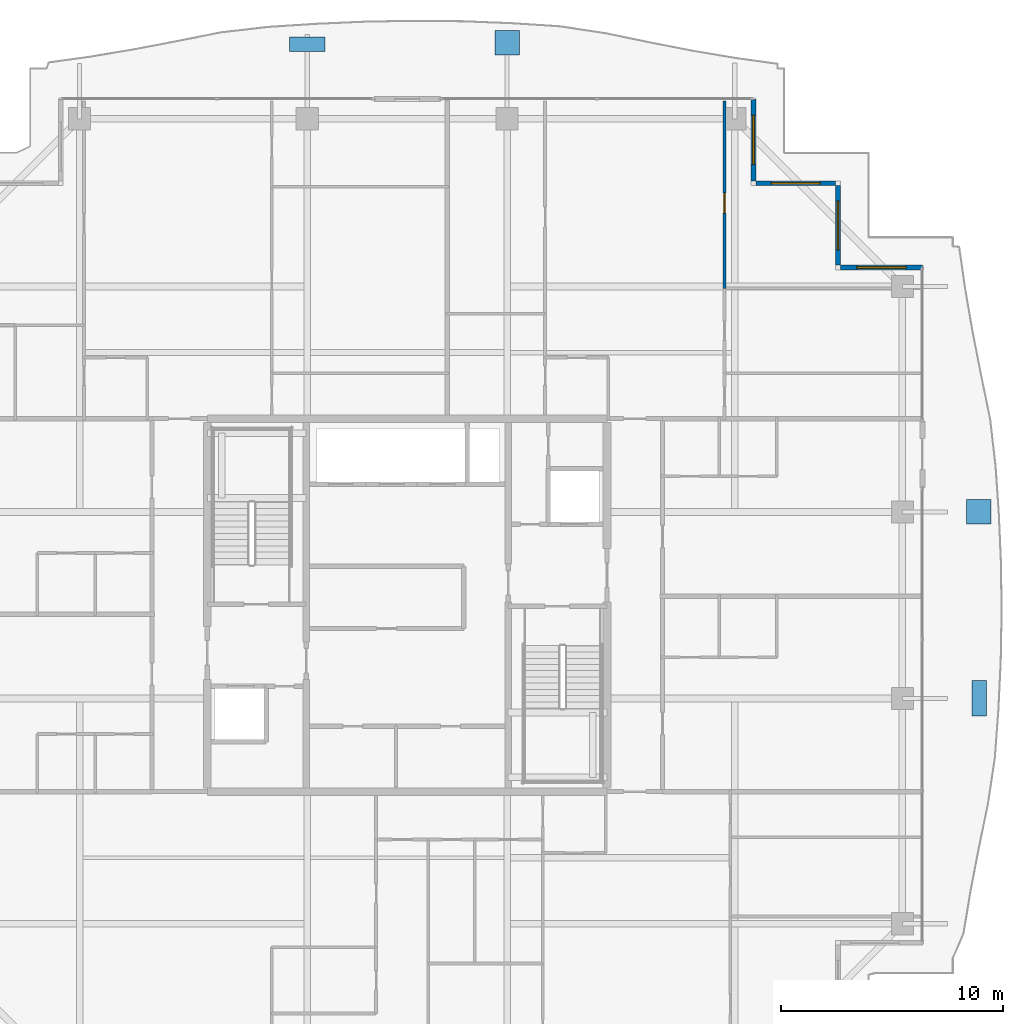
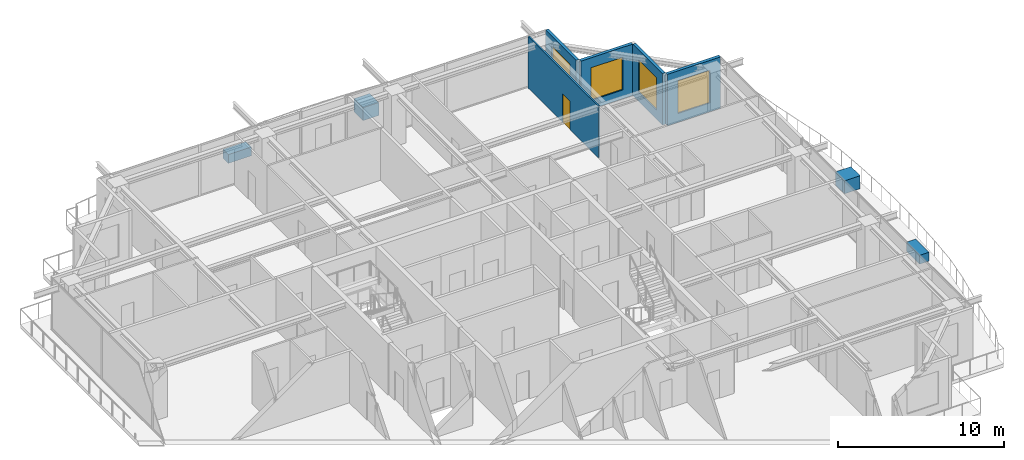
# One storey, part 32 of 39: 5 walls, 4 discrete accessories, 4 windows, 1 door, 5 openings.
"""IFC4 building model written with IfcOpenShell, lengths in metres."""

from ifc_helpers import new_model, si_unit, direction, frame, frame_2d, origin, origin_2d, place, context, subcontext, project, spatial, rectangle, extrude, source, transform, mapped, material, layer, layer_set, type_object, element, fill, save


model = new_model("IFC4")

# Units and contexts
model_context = context("Model", 3, precision=1e-05, world=origin(), true_north=direction((0.0, 1.0)))
body_context = subcontext(model_context, "Body", "Model", "MODEL_VIEW")
ifc_project = project(units=[si_unit("LENGTHUNIT", "METRE"), si_unit("AREAUNIT", "SQUARE_METRE"), si_unit("VOLUMEUNIT", "CUBIC_METRE"), si_unit("PLANEANGLEUNIT", "RADIAN"), si_unit("MASSUNIT", "GRAM", prefix="KILO")], contexts=[model_context])

# Site, building, storey
site_placement = place(None, origin())
site = spatial("IfcSite", under=ifc_project, at=site_placement, CompositionType="ELEMENT")
building_placement = place(site_placement, origin())
building = spatial("IfcBuilding", under=site, at=building_placement, Name="Serunith Strait Residences", CompositionType="ELEMENT")
storey_placement = place(building_placement, frame((0.0, 0.0, 329.89990234375)))
storey = spatial("IfcBuildingStorey", under=building, at=storey_placement, Name="L82", CompositionType="ELEMENT", Elevation=329.89990234375)

# Wall, opening, window
ifc_material_1 = material(Name="Pale-Champagne Aluminium Insulated Panel", Category="aluminium")
ifc_layer_1 = layer(ifc_material_1, 0.219970703125, Name="Pale-Champagne Aluminium Insulated Panel")
ifc_layer_set_1 = layer_set([ifc_layer_1], Name="Pale-Champagne Aluminium Insulated Panel")
wall_type_1 = type_object("IfcWallType", Name="EW-ALUM-220", PredefinedType="ELEMENTEDWALL", material=ifc_layer_set_1)
wall_1_placement = place(storey_placement, frame((55.60009765625, 40.39990234375, 0.0), z_axis=(0.0, 0.0, 1.0), x_axis=(-1.0, 0.0, 0.0)))
wall_1 = element("IfcWall", 1, at=wall_1_placement, inside=storey, type_object=wall_type_1, Name="L82 Girih Serrated Corner Wall 07", PredefinedType="ELEMENTEDWALL", context=body_context, shape_type="SweptSolid", body=[
    extrude(rectangle(XDim=3.690185546875, YDim=0.219970703125, at=frame_2d((1.84521484375, 0.0))), origin(), (0.0, 0.0, 1.0), 3.775146484375),
])
opening_1_placement = place(wall_1_placement, frame((0.7451171875, 0.0, 0.64990234375)))
opening_1 = element("IfcOpeningElement", 2, at=opening_1_placement, cuts=wall_1, Name="Opening W-06", PredefinedType="OPENING", context=body_context, shape_type="SweptSolid", body=[
    extrude(rectangle(XDim=2.199951171875, YDim=2.39990234375, at=frame_2d((1.10009765625, 1.199951171875))), frame((0.0, 0.1201171875, 0.0), z_axis=(0.0, -1.0, 0.0), x_axis=(1.0, 0.0, 0.0)), (0.0, 0.0, 1.0), 0.239990234375),
])
ifc_material_2 = material(Name="Crown Penthouse Low-E Operable Window Glass", Category="glass")
window_type = type_object("IfcWindowType", Name="WIN-C6", PartitioningType="TRIPLE_PANEL_VERTICAL", PredefinedType="WINDOW", material=ifc_material_2)
shared_shape_1 = source(origin(), body_context, "Body", "SweptSolid", [
    extrude(rectangle(XDim=2.199951171875, YDim=2.39990234375, at=frame_2d((1.10009765625, 1.199951171875))), frame((0.0, 0.030029296875, 0.0), z_axis=(0.0, -1.0, 0.0), x_axis=(1.0, 0.0, 0.0)), (0.0, 0.0, 1.0), 0.06005859375),
])
window_1_placement = place(opening_1_placement, origin())
window_1 = element("IfcWindow", 3, at=window_1_placement, inside=storey, type_object=window_type, Name="L82 Corner Operable Fritted Window 07", OverallHeight=2.39990234375, OverallWidth=2.199951171875, PartitioningType="SINGLE_PANEL", PredefinedType="WINDOW", context=body_context, shape_type="MappedRepresentation", body=[
    mapped(shared_shape_1, transform((0.0, 0.0, 0.0), scale=1.0)),
])
fill(opening_1, window_1)

wall_2_placement = place(storey_placement, frame((51.800048828125, 40.510009765625, 0.0), z_axis=(0.0, 0.0, 1.0), x_axis=(0.0, 1.0, 0.0)))
wall_2 = element("IfcWall", 4, at=wall_2_placement, inside=storey, type_object=wall_type_1, Name="L82 Girih Serrated Corner Wall 08", PredefinedType="ELEMENTEDWALL", context=body_context, shape_type="SweptSolid", body=[
    extrude(rectangle(XDim=3.580078125, YDim=0.219970703125, at=frame_2d((1.7900390625, 0.0))), origin(), (0.0, 0.0, 1.0), 3.775146484375),
])
opening_2_placement = place(wall_2_placement, frame((0.68994140625, 0.0, 0.64990234375)))
opening_2 = element("IfcOpeningElement", 5, at=opening_2_placement, cuts=wall_2, Name="Opening W-06", PredefinedType="OPENING", context=body_context, shape_type="SweptSolid", body=[
    extrude(rectangle(XDim=2.199951171875, YDim=2.39990234375, at=frame_2d((1.10009765625, 1.199951171875))), frame((0.0, 0.1201171875, 0.0), z_axis=(0.0, -1.0, 0.0), x_axis=(1.0, 0.0, 0.0)), (0.0, 0.0, 1.0), 0.239990234375),
])
window_2_placement = place(opening_2_placement, origin())
window_2 = element("IfcWindow", 6, at=window_2_placement, inside=storey, type_object=window_type, Name="L82 Corner Operable Fritted Window 08", OverallHeight=2.39990234375, OverallWidth=2.199951171875, PartitioningType="SINGLE_PANEL", PredefinedType="WINDOW", context=body_context, shape_type="MappedRepresentation", body=[
    mapped(shared_shape_1, transform((0.0, 0.0, 0.0), scale=1.0)),
])
fill(opening_2, window_2)

wall_3_placement = place(storey_placement, frame((51.68994140625, 44.199951171875, 0.0), z_axis=(0.0, 0.0, 1.0), x_axis=(-1.0, 0.0, 0.0)))
wall_3 = element("IfcWall", 7, at=wall_3_placement, inside=storey, type_object=wall_type_1, Name="L82 Girih Serrated Corner Wall 09", PredefinedType="ELEMENTEDWALL", context=body_context, shape_type="SweptSolid", body=[
    extrude(rectangle(XDim=3.579833984375, YDim=0.219970703125, at=frame_2d((1.7900390625, 0.0))), origin(), (0.0, 0.0, 1.0), 3.775146484375),
])
opening_3_placement = place(wall_3_placement, frame((0.68994140625, 0.0, 0.64990234375)))
opening_3 = element("IfcOpeningElement", 8, at=opening_3_placement, cuts=wall_3, Name="Opening W-06", PredefinedType="OPENING", context=body_context, shape_type="SweptSolid", body=[
    extrude(rectangle(XDim=2.199951171875, YDim=2.39990234375, at=frame_2d((1.10009765625, 1.199951171875))), frame((0.0, 0.1201171875, 0.0), z_axis=(0.0, -1.0, 0.0), x_axis=(1.0, 0.0, 0.0)), (0.0, 0.0, 1.0), 0.239990234375),
])
window_3_placement = place(opening_3_placement, origin())
window_3 = element("IfcWindow", 9, at=window_3_placement, inside=storey, type_object=window_type, Name="L82 Corner Operable Fritted Window 09", OverallHeight=2.39990234375, OverallWidth=2.199951171875, PartitioningType="SINGLE_PANEL", PredefinedType="WINDOW", context=body_context, shape_type="MappedRepresentation", body=[
    mapped(shared_shape_1, transform((0.0, 0.0, 0.0), scale=1.0)),
])
fill(opening_3, window_3)

wall_4_placement = place(storey_placement, frame((48.0, 44.31005859375, 0.0), z_axis=(0.0, 0.0, 1.0), x_axis=(0.0, 1.0, 0.0)))
wall_4 = element("IfcWall", 10, at=wall_4_placement, inside=storey, type_object=wall_type_1, Name="L82 Girih Serrated Corner Wall 10", PredefinedType="ELEMENTEDWALL", context=body_context, shape_type="SweptSolid", body=[
    extrude(rectangle(XDim=3.68994140625, YDim=0.219970703125, at=frame_2d((1.844970703125, 0.0))), origin(), (0.0, 0.0, 1.0), 3.775146484375),
])
opening_4_placement = place(wall_4_placement, frame((0.7451171875, 0.0, 0.64990234375)))
opening_4 = element("IfcOpeningElement", 11, at=opening_4_placement, cuts=wall_4, Name="Opening W-06", PredefinedType="OPENING", context=body_context, shape_type="SweptSolid", body=[
    extrude(rectangle(XDim=2.199951171875, YDim=2.39990234375, at=frame_2d((1.10009765625, 1.199951171875))), frame((0.0, 0.1201171875, 0.0), z_axis=(0.0, -1.0, 0.0), x_axis=(1.0, 0.0, 0.0)), (0.0, 0.0, 1.0), 0.239990234375),
])
window_4_placement = place(opening_4_placement, origin())
window_4 = element("IfcWindow", 12, at=window_4_placement, inside=storey, type_object=window_type, Name="L82 Corner Operable Fritted Window 10", OverallHeight=2.39990234375, OverallWidth=2.199951171875, PartitioningType="SINGLE_PANEL", PredefinedType="WINDOW", context=body_context, shape_type="MappedRepresentation", body=[
    mapped(shared_shape_1, transform((0.0, 0.0, 0.0), scale=1.0)),
])
fill(opening_4, window_4)

# Wall, opening, door
ifc_material_3 = material(Name="Lightweight steel-stud gypsum partition", Category="steel")
ifc_layer_2 = layer(ifc_material_3, 0.1201171875, Name="Lightweight steel-stud gypsum partition")
ifc_layer_set_2 = layer_set([ifc_layer_2], Name="Lightweight steel-stud gypsum partition")
wall_type_2 = type_object("IfcWallType", Name="IW-PART-120", PredefinedType="PARTITIONING", material=ifc_layer_set_2)
wall_5_placement = place(storey_placement, frame((46.68994140625, 47.905029296875, 0.0), z_axis=(0.0, 0.0, 1.0), x_axis=(0.0, -1.0, 0.0)))
wall_5 = element("IfcWall", 13, at=wall_5_placement, inside=storey, type_object=wall_type_2, Name="L82 Partition Wall 070", PredefinedType="PARTITIONING", context=body_context, shape_type="SweptSolid", body=[
    extrude(rectangle(XDim=8.43603515625, YDim=0.1201171875, at=frame_2d((4.218017578125, 0.0))), origin(), (0.0, 0.0, 1.0), 3.7900390625),
])
opening_5_placement = place(wall_5_placement, frame((4.14501953125, 0.0, 0.0)))
opening_5 = element("IfcOpeningElement", 14, at=opening_5_placement, cuts=wall_5, Name="Opening D-RM900", PredefinedType="OPENING", context=body_context, shape_type="SweptSolid", body=[
    extrude(rectangle(XDim=0.89990234375, YDim=2.10009765625, at=frame_2d((0.449951171875, 1.050048828125))), frame((0.0, 0.070068359375, 0.0), z_axis=(0.0, -1.0, 0.0), x_axis=(1.0, 0.0, 0.0)), (0.0, 0.0, 1.0), 0.14013671875),
])
ifc_material_4 = material(Name="Engineered timber flush bedroom door", Category="wood")
door_type = type_object("IfcDoorType", Name="ID-ROOM-900", OperationType="NOTDEFINED", PredefinedType="DOOR", material=ifc_material_4)
shared_shape_2 = source(origin(), body_context, "Body", "SweptSolid", [
    extrude(rectangle(XDim=0.89990234375, YDim=2.10009765625, at=frame_2d((0.449951171875, 1.050048828125))), frame((0.0, 0.02490234375, 0.0), z_axis=(0.0, -1.0, 0.0), x_axis=(1.0, 0.0, 0.0)), (0.0, 0.0, 1.0), 0.050048828125),
])
door_placement = place(opening_5_placement, origin())
door = element("IfcDoor", 15, at=door_placement, inside=storey, type_object=door_type, Name="L82 Bedroom 2 8203 Door", OperationType="SINGLE_SWING_LEFT", OverallHeight=2.10009765625, OverallWidth=0.89990234375, PredefinedType="DOOR", context=body_context, shape_type="MappedRepresentation", body=[
    mapped(shared_shape_2, transform((0.0, 0.0, 0.0), scale=1.0)),
])
fill(opening_5, door)

# Discrete accessories
ifc_material_5 = material(Name="GFRC Root-Anchored Structural Planter")
discrete_accessory_type_1 = type_object("IfcDiscreteAccessoryType", Name="ACC-PLANTER-TREE", PredefinedType="USERDEFINED", material=ifc_material_5)
shared_shape_3 = source(origin(), body_context, "Body", "SweptSolid", [
    extrude(rectangle(XDim=1.10009765625, YDim=1.10009765625, at=origin_2d()), origin(), (0.0, 0.0, 1.0), 0.949951171875),
])
for number, where, z_axis, x_axis, name in (
    (16, (36.89990234375, 50.5283203125, -0.0498046875), (0.0, 0.0, 1.0), (-1.0, 0.0, 0.0), "L82 Vertical-Forest Tree Planter 07"),
    (17, (58.1474609375, 29.39990234375, -0.0498046875), (0.0, 0.0, 1.0), (0.0, 1.0, 0.0), "L82 Vertical-Forest Tree Planter 11"),
):
    element("IfcDiscreteAccessory", number, at=place(storey_placement, frame(where, z_axis=z_axis, x_axis=x_axis)), inside=storey, type_object=discrete_accessory_type_1, Name=name, ObjectType="PLANTER", PredefinedType="USERDEFINED", context=body_context, shape_type="MappedRepresentation", body=[
        mapped(shared_shape_3, transform((0.0, 0.0, 0.0), scale=1.0)),
    ])
ifc_material_6 = material(Name="GFRC Irrigated Shrub Trough Planter")
discrete_accessory_type_2 = type_object("IfcDiscreteAccessoryType", Name="ACC-PLANTER-SHRUB", PredefinedType="USERDEFINED", material=ifc_material_6)
shared_shape_4 = source(origin(), body_context, "Body", "SweptSolid", [
    extrude(rectangle(XDim=1.60009765625, YDim=0.64990234375, at=origin_2d()), origin(), (0.0, 0.0, 1.0), 0.64990234375),
])
for number, where, z_axis, x_axis, name in (
    (18, (27.89990234375, 50.466064453125, -0.0498046875), (0.0, 0.0, 1.0), (-1.0, 0.0, 0.0), "L82 Vertical-Forest Shrub Planter 06"),
    (19, (58.156982421875, 21.0, -0.0498046875), (0.0, 0.0, 1.0), (0.0, 1.0, 0.0), "L82 Vertical-Forest Shrub Planter 10"),
):
    element("IfcDiscreteAccessory", number, at=place(storey_placement, frame(where, z_axis=z_axis, x_axis=x_axis)), inside=storey, type_object=discrete_accessory_type_2, Name=name, ObjectType="PLANTER", PredefinedType="USERDEFINED", context=body_context, shape_type="MappedRepresentation", body=[
        mapped(shared_shape_4, transform((0.0, 0.0, 0.0), scale=1.0)),
    ])

save(model, "model.ifc")
